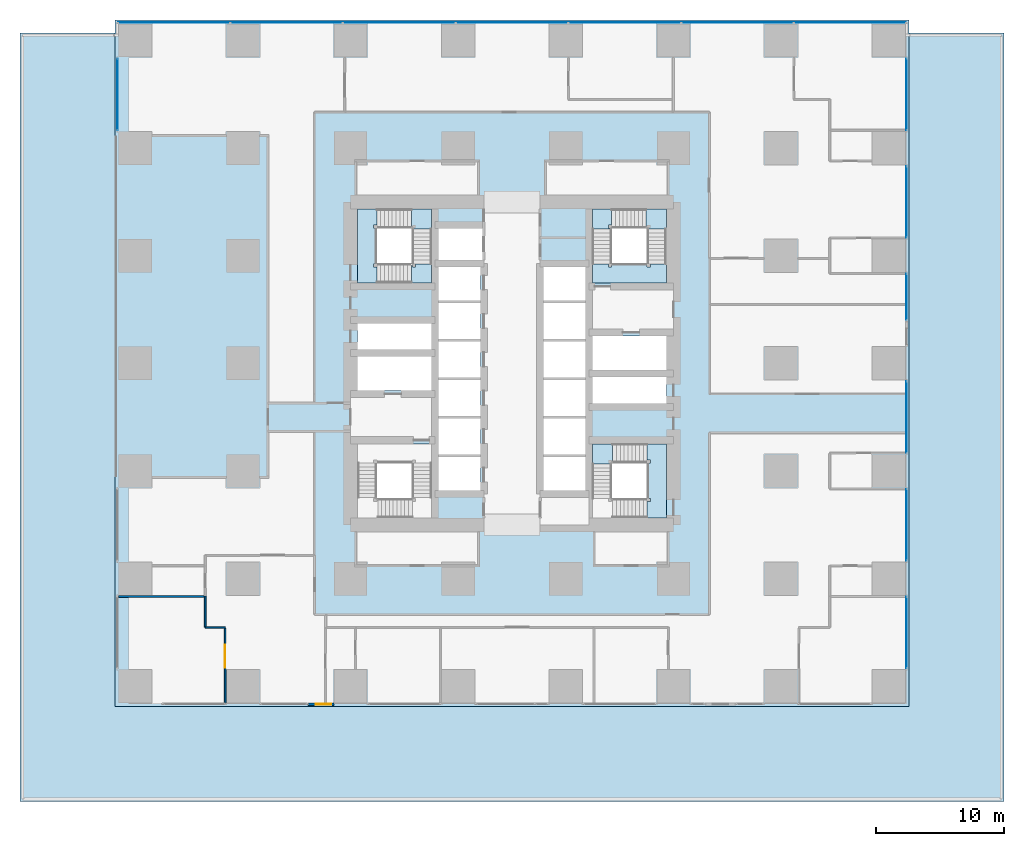
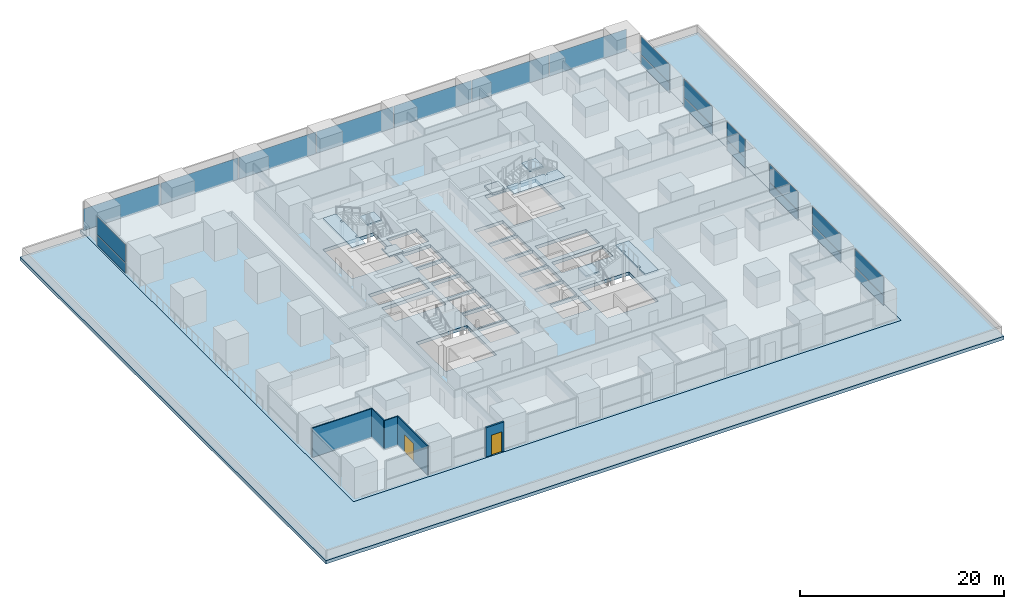
# One storey, part 19 of 35: 21 plates, 10 slabs, 5 walls, 2 doors, 2 openings, 11 elements without a shape of their own.
"""IFC4 building model written with IfcOpenShell, lengths in metres."""

from ifc_helpers import new_model, si_unit, direction, frame, frame_2d, origin, origin_2d, place, context, subcontext, project, spatial, polyline, rectangle, outline, extrude, material, layer, layer_set, type_object, element, fill, aggregate, save


model = new_model("IFC4")

# Units and contexts
model_context = context("Model", 3, precision=1e-05, world=origin(), true_north=direction((0.0, 1.0)))
body_context = subcontext(model_context, "Body", "Model", "MODEL_VIEW")
ifc_project = project(units=[si_unit("LENGTHUNIT", "METRE"), si_unit("AREAUNIT", "SQUARE_METRE"), si_unit("VOLUMEUNIT", "CUBIC_METRE"), si_unit("PLANEANGLEUNIT", "RADIAN"), si_unit("MASSUNIT", "GRAM", prefix="KILO")], contexts=[model_context])

# Site, building, storey
site_placement = place(None, origin())
site = spatial("IfcSite", under=ifc_project, at=site_placement, CompositionType="ELEMENT")
building_placement = place(site_placement, origin())
building = spatial("IfcBuilding", under=site, at=building_placement, Name="Rekha Terrace Tower", CompositionType="ELEMENT")
storey_placement = place(building_placement, frame((0.0, 0.0, 25.39990234375)))
storey = spatial("IfcBuildingStorey", under=building, at=storey_placement, Name="L05", CompositionType="ELEMENT", Elevation=25.39990234375)

# Curtain wall, plates
ifc_material_1 = material(Name="Aluminium framing", Category="aluminium")
curtain_wall_type_1 = type_object("IfcCurtainWallType", Name="CW3 north unitised glazing", PredefinedType="USERDEFINED", material=ifc_material_1)
curtain_wall_1_placement = place(storey_placement, origin())
curtain_wall_1 = element("IfcCurtainWall", 1, at=curtain_wall_1_placement, inside=storey, type_object=curtain_wall_type_1, Name="CW3 unitised curtain wall", ObjectType="UNITISED CURTAIN WALL", PredefinedType="USERDEFINED")
ifc_material_2 = material(Name="Double-glazed unit 28", Category="glass")
ifc_layer_1 = layer(ifc_material_2, 0.028076171875)
ifc_layer_set_1 = layer_set([ifc_layer_1], Name="Double-glazed unit 28")
plate_type_1 = type_object("IfcPlateType", Name="CW3 jumbo vision panel, double-glazed unit 28", PredefinedType="CURTAIN_PANEL", material=ifc_layer_set_1)
plate_1_placement = place(storey_placement, frame((64.1826171875, 60.199951171875, 0.0), z_axis=(0.0, 0.0, 1.0), x_axis=(-1.0, 0.0, 0.0)))
plate_1 = element("IfcPlate", 2, at=plate_1_placement, type_object=plate_type_1, Name="CW3 panel 1.1", PredefinedType="CURTAIN_PANEL", context=body_context, shape_type="SweptSolid", body=[
    extrude(rectangle(XDim=8.695068359375, YDim=0.028076171875, at=origin_2d()), origin(), (0.0, 0.0, 1.0), 2.60009765625),
])
plate_2_placement = place(storey_placement, frame((55.39990234375, 60.199951171875, 0.0), z_axis=(0.0, 0.0, 1.0), x_axis=(-1.0, 0.0, 0.0)))
plate_2 = element("IfcPlate", 3, at=plate_2_placement, type_object=plate_type_1, Name="CW3 panel 2.1", PredefinedType="CURTAIN_PANEL", context=body_context, shape_type="SweptSolid", body=[
    extrude(rectangle(XDim=8.72998046875, YDim=0.028076171875, at=origin_2d()), origin(), (0.0, 0.0, 1.0), 2.60009765625),
])
plate_3_placement = place(storey_placement, frame((46.60009765625, 60.199951171875, 0.0), z_axis=(0.0, 0.0, 1.0), x_axis=(-1.0, 0.0, 0.0)))
plate_3 = element("IfcPlate", 4, at=plate_3_placement, type_object=plate_type_1, Name="CW3 panel 3.1", PredefinedType="CURTAIN_PANEL", context=body_context, shape_type="SweptSolid", body=[
    extrude(rectangle(XDim=8.72998046875, YDim=0.028076171875, at=origin_2d()), origin(), (0.0, 0.0, 1.0), 2.60009765625),
])
plate_4_placement = place(storey_placement, frame((37.800048828125, 60.199951171875, 0.0), z_axis=(0.0, 0.0, 1.0), x_axis=(-1.0, 0.0, 0.0)))
plate_4 = element("IfcPlate", 5, at=plate_4_placement, type_object=plate_type_1, Name="CW3 panel 4.1", PredefinedType="CURTAIN_PANEL", context=body_context, shape_type="SweptSolid", body=[
    extrude(rectangle(XDim=8.72998046875, YDim=0.028076171875, at=origin_2d()), origin(), (0.0, 0.0, 1.0), 2.60009765625),
])
plate_5_placement = place(storey_placement, frame((29.0, 60.199951171875, 0.0), z_axis=(0.0, 0.0, 1.0), x_axis=(-1.0, 0.0, 0.0)))
plate_5 = element("IfcPlate", 6, at=plate_5_placement, type_object=plate_type_1, Name="CW3 panel 5.1", PredefinedType="CURTAIN_PANEL", context=body_context, shape_type="SweptSolid", body=[
    extrude(rectangle(XDim=8.72998046875, YDim=0.028076171875, at=origin_2d()), origin(), (0.0, 0.0, 1.0), 2.60009765625),
])
plate_6_placement = place(storey_placement, frame((20.199951171875, 60.199951171875, 0.0), z_axis=(0.0, 0.0, 1.0), x_axis=(-1.0, 0.0, 0.0)))
plate_6 = element("IfcPlate", 7, at=plate_6_placement, type_object=plate_type_1, Name="CW3 panel 6.1", PredefinedType="CURTAIN_PANEL", context=body_context, shape_type="SweptSolid", body=[
    extrude(rectangle(XDim=8.72998046875, YDim=0.028076171875, at=origin_2d()), origin(), (0.0, 0.0, 1.0), 2.60009765625),
])
plate_7_placement = place(storey_placement, frame((11.41748046875, 60.199951171875, 0.0), z_axis=(0.0, 0.0, 1.0), x_axis=(-1.0, 0.0, 0.0)))
plate_7 = element("IfcPlate", 8, at=plate_7_placement, type_object=plate_type_1, Name="CW3 panel 7.1", PredefinedType="CURTAIN_PANEL", context=body_context, shape_type="SweptSolid", body=[
    extrude(rectangle(XDim=8.695068359375, YDim=0.028076171875, at=origin_2d()), origin(), (0.0, 0.0, 1.0), 2.60009765625),
])
aggregate(curtain_wall_1, [plate_1, plate_2, plate_3, plate_4, plate_5, plate_6, plate_7])

curtain_wall_type_2 = type_object("IfcCurtainWallType", Name="CW5 sky garden glazing", PredefinedType="USERDEFINED", material=ifc_material_1)
curtain_wall_2_placement = place(storey_placement, origin())
curtain_wall_2 = element("IfcCurtainWall", 9, at=curtain_wall_2_placement, inside=storey, type_object=curtain_wall_type_2, Name="CW5 sky garden curtain wall", ObjectType="SKY GARDEN CURTAIN WALL", PredefinedType="USERDEFINED")
ifc_material_3 = material(Name="Laminated double-glazed unit 36", Category="glass")
ifc_layer_2 = layer(ifc_material_3, 0.035888671875)
ifc_layer_set_2 = layer_set([ifc_layer_2], Name="Laminated double-glazed unit 36")
plate_type_2 = type_object("IfcPlateType", Name="CW5 jumbo vision panel, laminated double-glazed unit 36", PredefinedType="CURTAIN_PANEL", material=ifc_layer_set_2)
plate_8_placement = place(storey_placement, frame((68.60009765625, 12.60009765625, 0.0), z_axis=(0.0, 0.0, 1.0), x_axis=(0.0, 1.0, 0.0)))
plate_8 = element("IfcPlate", 10, at=plate_8_placement, type_object=plate_type_2, Name="CW5 panel 1.1", PredefinedType="CURTAIN_PANEL", context=body_context, shape_type="SweptSolid", body=[
    extrude(rectangle(XDim=5.580078125, YDim=0.035888671875, at=origin_2d()), origin(), (0.0, 0.0, 1.0), 1.155029296875),
])
plate_9_placement = place(storey_placement, frame((68.60009765625, 12.60009765625, 1.2451171875), z_axis=(0.0, 0.0, 1.0), x_axis=(0.0, 1.0, 0.0)))
plate_9 = element("IfcPlate", 11, at=plate_9_placement, type_object=plate_type_2, Name="CW5 panel 1.2", PredefinedType="CURTAIN_PANEL", context=body_context, shape_type="SweptSolid", body=[
    extrude(rectangle(XDim=5.580078125, YDim=0.035888671875, at=origin_2d()), origin(), (0.0, 0.0, 1.0), 2.1650390625),
])
aggregate(curtain_wall_2, [plate_8, plate_9])

curtain_wall_3_placement = place(storey_placement, origin())
curtain_wall_3 = element("IfcCurtainWall", 12, at=curtain_wall_3_placement, inside=storey, type_object=curtain_wall_type_2, Name="CW5 sky garden curtain wall", ObjectType="SKY GARDEN CURTAIN WALL", PredefinedType="USERDEFINED")
plate_10_placement = place(storey_placement, frame((68.60009765625, 21.0, 0.0), z_axis=(0.0, 0.0, 1.0), x_axis=(0.0, 1.0, 0.0)))
plate_10 = element("IfcPlate", 13, at=plate_10_placement, type_object=plate_type_2, Name="CW5 panel 1.1", PredefinedType="CURTAIN_PANEL", context=body_context, shape_type="SweptSolid", body=[
    extrude(rectangle(XDim=5.580078125, YDim=0.035888671875, at=origin_2d()), origin(), (0.0, 0.0, 1.0), 1.155029296875),
])
plate_11_placement = place(storey_placement, frame((68.60009765625, 21.0, 1.2451171875), z_axis=(0.0, 0.0, 1.0), x_axis=(0.0, 1.0, 0.0)))
plate_11 = element("IfcPlate", 14, at=plate_11_placement, type_object=plate_type_2, Name="CW5 panel 1.2", PredefinedType="CURTAIN_PANEL", context=body_context, shape_type="SweptSolid", body=[
    extrude(rectangle(XDim=5.580078125, YDim=0.035888671875, at=origin_2d()), origin(), (0.0, 0.0, 1.0), 2.1650390625),
])
aggregate(curtain_wall_3, [plate_10, plate_11])

curtain_wall_4_placement = place(storey_placement, origin())
curtain_wall_4 = element("IfcCurtainWall", 15, at=curtain_wall_4_placement, inside=storey, type_object=curtain_wall_type_2, Name="CW5 sky garden curtain wall", ObjectType="SKY GARDEN CURTAIN WALL", PredefinedType="USERDEFINED")
plate_12_placement = place(storey_placement, frame((68.60009765625, 29.39990234375, 0.0), z_axis=(0.0, 0.0, 1.0), x_axis=(0.0, 1.0, 0.0)))
plate_12 = element("IfcPlate", 16, at=plate_12_placement, type_object=plate_type_2, Name="CW5 panel 1.1", PredefinedType="CURTAIN_PANEL", context=body_context, shape_type="SweptSolid", body=[
    extrude(rectangle(XDim=5.580078125, YDim=0.035888671875, at=origin_2d()), origin(), (0.0, 0.0, 1.0), 1.155029296875),
])
plate_13_placement = place(storey_placement, frame((68.60009765625, 29.39990234375, 1.2451171875), z_axis=(0.0, 0.0, 1.0), x_axis=(0.0, 1.0, 0.0)))
plate_13 = element("IfcPlate", 17, at=plate_13_placement, type_object=plate_type_2, Name="CW5 panel 1.2", PredefinedType="CURTAIN_PANEL", context=body_context, shape_type="SweptSolid", body=[
    extrude(rectangle(XDim=5.580078125, YDim=0.035888671875, at=origin_2d()), origin(), (0.0, 0.0, 1.0), 2.1650390625),
])
aggregate(curtain_wall_4, [plate_12, plate_13])

curtain_wall_5_placement = place(storey_placement, origin())
curtain_wall_5 = element("IfcCurtainWall", 18, at=curtain_wall_5_placement, inside=storey, type_object=curtain_wall_type_2, Name="CW5 sky garden curtain wall", ObjectType="SKY GARDEN CURTAIN WALL", PredefinedType="USERDEFINED")
plate_14_placement = place(storey_placement, frame((68.60009765625, 38.7900390625, 0.0), z_axis=(0.0, 0.0, 1.0), x_axis=(0.0, 1.0, 0.0)))
plate_14 = element("IfcPlate", 19, at=plate_14_placement, type_object=plate_type_2, Name="CW5 panel 1.1", PredefinedType="CURTAIN_PANEL", context=body_context, shape_type="SweptSolid", body=[
    extrude(rectangle(XDim=3.60009765625, YDim=0.035888671875, at=origin_2d()), origin(), (0.0, 0.0, 1.0), 1.155029296875),
])
plate_15_placement = place(storey_placement, frame((68.60009765625, 38.7900390625, 1.2451171875), z_axis=(0.0, 0.0, 1.0), x_axis=(0.0, 1.0, 0.0)))
plate_15 = element("IfcPlate", 20, at=plate_15_placement, type_object=plate_type_2, Name="CW5 panel 1.2", PredefinedType="CURTAIN_PANEL", context=body_context, shape_type="SweptSolid", body=[
    extrude(rectangle(XDim=3.60009765625, YDim=0.035888671875, at=origin_2d()), origin(), (0.0, 0.0, 1.0), 2.1650390625),
])
aggregate(curtain_wall_5, [plate_14, plate_15])

curtain_wall_6_placement = place(storey_placement, origin())
curtain_wall_6 = element("IfcCurtainWall", 21, at=curtain_wall_6_placement, inside=storey, type_object=curtain_wall_type_2, Name="CW5 sky garden curtain wall", ObjectType="SKY GARDEN CURTAIN WALL", PredefinedType="USERDEFINED")
plate_16_placement = place(storey_placement, frame((68.60009765625, 46.199951171875, 0.0), z_axis=(0.0, 0.0, 1.0), x_axis=(0.0, 1.0, 0.0)))
plate_16 = element("IfcPlate", 22, at=plate_16_placement, type_object=plate_type_2, Name="CW5 panel 1.1", PredefinedType="CURTAIN_PANEL", context=body_context, shape_type="SweptSolid", body=[
    extrude(rectangle(XDim=5.580078125, YDim=0.035888671875, at=origin_2d()), origin(), (0.0, 0.0, 1.0), 1.155029296875),
])
plate_17_placement = place(storey_placement, frame((68.60009765625, 46.199951171875, 1.2451171875), z_axis=(0.0, 0.0, 1.0), x_axis=(0.0, 1.0, 0.0)))
plate_17 = element("IfcPlate", 23, at=plate_17_placement, type_object=plate_type_2, Name="CW5 panel 1.2", PredefinedType="CURTAIN_PANEL", context=body_context, shape_type="SweptSolid", body=[
    extrude(rectangle(XDim=5.580078125, YDim=0.035888671875, at=origin_2d()), origin(), (0.0, 0.0, 1.0), 2.1650390625),
])
aggregate(curtain_wall_6, [plate_16, plate_17])

curtain_wall_7_placement = place(storey_placement, origin())
curtain_wall_7 = element("IfcCurtainWall", 24, at=curtain_wall_7_placement, inside=storey, type_object=curtain_wall_type_2, Name="CW5 sky garden curtain wall", ObjectType="SKY GARDEN CURTAIN WALL", PredefinedType="USERDEFINED")
plate_18_placement = place(storey_placement, frame((68.60009765625, 54.60009765625, 0.0), z_axis=(0.0, 0.0, 1.0), x_axis=(0.0, 1.0, 0.0)))
plate_18 = element("IfcPlate", 25, at=plate_18_placement, type_object=plate_type_2, Name="CW5 panel 1.1", PredefinedType="CURTAIN_PANEL", context=body_context, shape_type="SweptSolid", body=[
    extrude(rectangle(XDim=5.580078125, YDim=0.035888671875, at=origin_2d()), origin(), (0.0, 0.0, 1.0), 1.155029296875),
])
plate_19_placement = place(storey_placement, frame((68.60009765625, 54.60009765625, 1.2451171875), z_axis=(0.0, 0.0, 1.0), x_axis=(0.0, 1.0, 0.0)))
plate_19 = element("IfcPlate", 26, at=plate_19_placement, type_object=plate_type_2, Name="CW5 panel 1.2", PredefinedType="CURTAIN_PANEL", context=body_context, shape_type="SweptSolid", body=[
    extrude(rectangle(XDim=5.580078125, YDim=0.035888671875, at=origin_2d()), origin(), (0.0, 0.0, 1.0), 2.1650390625),
])
aggregate(curtain_wall_7, [plate_18, plate_19])

curtain_wall_8_placement = place(storey_placement, origin())
curtain_wall_8 = element("IfcCurtainWall", 27, at=curtain_wall_8_placement, inside=storey, type_object=curtain_wall_type_2, Name="CW5 sky garden curtain wall", ObjectType="SKY GARDEN CURTAIN WALL", PredefinedType="USERDEFINED")
plate_20_placement = place(storey_placement, frame((7.0, 54.60009765625, 0.0), z_axis=(0.0, 0.0, 1.0), x_axis=(0.0, -1.0, 0.0)))
plate_20 = element("IfcPlate", 28, at=plate_20_placement, type_object=plate_type_2, Name="CW5 panel 1.1", PredefinedType="CURTAIN_PANEL", context=body_context, shape_type="SweptSolid", body=[
    extrude(rectangle(XDim=5.580078125, YDim=0.035888671875, at=origin_2d()), origin(), (0.0, 0.0, 1.0), 1.155029296875),
])
plate_21_placement = place(storey_placement, frame((7.0, 54.60009765625, 1.2451171875), z_axis=(0.0, 0.0, 1.0), x_axis=(0.0, -1.0, 0.0)))
plate_21 = element("IfcPlate", 29, at=plate_21_placement, type_object=plate_type_2, Name="CW5 panel 1.2", PredefinedType="CURTAIN_PANEL", context=body_context, shape_type="SweptSolid", body=[
    extrude(rectangle(XDim=5.580078125, YDim=0.035888671875, at=origin_2d()), origin(), (0.0, 0.0, 1.0), 2.1650390625),
])
aggregate(curtain_wall_8, [plate_20, plate_21])

# Stair, slabs
ifc_material_4 = material(Name="Concrete M40", Category="concrete")
stair_type = type_object("IfcStairType", Name="ST30 stair, 30 risers of 125, going 300, 1500 wide flights, 3 flights", PredefinedType="HALF_TURN_STAIR", material=ifc_material_4)
stair_1_placement = place(storey_placement, origin())
stair_1 = element("IfcStair", 30, at=stair_1_placement, inside=storey, type_object=stair_type, Name="Stair ST2 L05 to L06", PredefinedType="HALF_TURN_STAIR")
ifc_layer_3 = layer(ifc_material_4, 0.199951171875)
ifc_layer_set_3 = layer_set([ifc_layer_3], Name="Concrete M40")
slab_type_1 = type_object("IfcSlabType", Name="LD1 200 concrete stair landing", PredefinedType="LANDING", material=ifc_layer_set_3)
slab_1_placement = place(storey_placement, frame((0.0, 0.0, 1.050048828125)))
slab_1 = element("IfcSlab", 31, at=slab_1_placement, type_object=slab_type_1, Name="ST2 landing 1", PredefinedType="LANDING", context=body_context, shape_type="SweptSolid", body=[
    extrude(outline(polyline([(45.574951171875, 45.64990234375), (44.074951171875, 45.64990234375), (44.074951171875, 44.074951171875), (45.574951171875, 44.074951171875), (45.574951171875, 44.14990234375), (45.324951171875, 44.14990234375), (45.324951171875, 44.39990234375), (45.574951171875, 44.39990234375), (45.574951171875, 45.64990234375)])), origin(), (0.0, 0.0, 1.0), 0.199951171875),
])
slab_2_placement = place(storey_placement, frame((0.0, 0.0, 2.300048828125)))
slab_2 = element("IfcSlab", 32, at=slab_2_placement, type_object=slab_type_1, Name="ST2 landing 2", PredefinedType="LANDING", context=body_context, shape_type="SweptSolid", body=[
    extrude(outline(polyline([(48.35009765625, 44.074951171875), (49.85009765625, 44.074951171875), (49.85009765625, 45.64990234375), (48.27490234375, 45.64990234375), (48.27490234375, 44.14990234375), (48.35009765625, 44.14990234375), (48.35009765625, 44.074951171875)])), origin(), (0.0, 0.0, 1.0), 0.199951171875),
])
slab_3_placement = place(storey_placement, frame((0.0, 0.0, 3.550048828125)))
slab_3 = element("IfcSlab", 33, at=slab_3_placement, type_object=slab_type_1, Name="ST2 landing 3", PredefinedType="LANDING", context=body_context, shape_type="SweptSolid", body=[
    extrude(outline(polyline([(44.074951171875, 41.375), (44.074951171875, 39.875), (49.85009765625, 39.875), (49.85009765625, 41.375), (48.60009765625, 41.375), (48.60009765625, 41.125), (48.35009765625, 41.125), (48.35009765625, 41.375), (45.574951171875, 41.375), (45.574951171875, 41.125), (45.324951171875, 41.125), (45.324951171875, 41.375), (44.074951171875, 41.375)])), origin(), (0.0, 0.0, 1.0), 0.199951171875),
])
aggregate(stair_1, [slab_1, slab_2, slab_3])

stair_2_placement = place(storey_placement, origin())
stair_2 = element("IfcStair", 34, at=stair_2_placement, inside=storey, type_object=stair_type, Name="Stair ST3 L05 to L06", PredefinedType="HALF_TURN_STAIR")
slab_4_placement = place(storey_placement, frame((0.0, 0.0, 2.300048828125)))
slab_4 = element("IfcSlab", 35, at=slab_4_placement, type_object=slab_type_1, Name="ST3 landing 2", PredefinedType="LANDING", context=body_context, shape_type="SweptSolid", body=[
    extrude(outline(polyline([(45.64990234375, 25.824951171875), (45.64990234375, 27.324951171875), (44.074951171875, 27.324951171875), (44.074951171875, 25.75), (45.574951171875, 25.75), (45.574951171875, 25.824951171875), (45.64990234375, 25.824951171875)])), origin(), (0.0, 0.0, 1.0), 0.199951171875),
])
slab_5_placement = place(storey_placement, frame((0.0, 0.0, 3.550048828125)))
slab_5 = element("IfcSlab", 36, at=slab_5_placement, type_object=slab_type_1, Name="ST3 landing 3", PredefinedType="LANDING", context=body_context, shape_type="SweptSolid", body=[
    extrude(outline(polyline([(48.35009765625, 21.550048828125), (49.85009765625, 21.550048828125), (49.85009765625, 27.324951171875), (48.35009765625, 27.324951171875), (48.35009765625, 26.074951171875), (48.60009765625, 26.074951171875), (48.60009765625, 25.824951171875), (48.35009765625, 25.824951171875), (48.35009765625, 23.050048828125), (48.60009765625, 23.050048828125), (48.60009765625, 22.800048828125), (48.35009765625, 22.800048828125), (48.35009765625, 21.550048828125)])), origin(), (0.0, 0.0, 1.0), 0.199951171875),
])
aggregate(stair_2, [slab_4, slab_5])

stair_3_placement = place(storey_placement, origin())
stair_3 = element("IfcStair", 37, at=stair_3_placement, inside=storey, type_object=stair_type, Name="Stair ST4 L05 to L06", PredefinedType="HALF_TURN_STAIR")
slab_6_placement = place(storey_placement, frame((0.0, 0.0, 1.050048828125)))
slab_6 = element("IfcSlab", 38, at=slab_6_placement, type_object=slab_type_1, Name="ST4 landing 1", PredefinedType="LANDING", context=body_context, shape_type="SweptSolid", body=[
    extrude(outline(polyline([(31.52490234375, 41.375), (31.52490234375, 39.875), (29.949951171875, 39.875), (29.949951171875, 41.375), (30.02490234375, 41.375), (30.02490234375, 41.125), (30.27490234375, 41.125), (30.27490234375, 41.375), (31.52490234375, 41.375)])), origin(), (0.0, 0.0, 1.0), 0.199951171875),
])
slab_7_placement = place(storey_placement, frame((0.0, 0.0, 2.300048828125)))
slab_7 = element("IfcSlab", 39, at=slab_7_placement, type_object=slab_type_1, Name="ST4 landing 2", PredefinedType="LANDING", context=body_context, shape_type="SweptSolid", body=[
    extrude(outline(polyline([(29.949951171875, 44.14990234375), (29.949951171875, 45.64990234375), (31.52490234375, 45.64990234375), (31.52490234375, 44.074951171875), (30.02490234375, 44.074951171875), (30.02490234375, 44.14990234375), (29.949951171875, 44.14990234375)])), origin(), (0.0, 0.0, 1.0), 0.199951171875),
])
slab_8_placement = place(storey_placement, frame((0.0, 0.0, 3.550048828125)))
slab_8 = element("IfcSlab", 40, at=slab_8_placement, type_object=slab_type_1, Name="ST4 landing 3", PredefinedType="LANDING", context=body_context, shape_type="SweptSolid", body=[
    extrude(outline(polyline([(27.25, 39.875), (25.75, 39.875), (25.75, 45.64990234375), (27.25, 45.64990234375), (27.25, 44.39990234375), (27.0, 44.39990234375), (27.0, 44.14990234375), (27.25, 44.14990234375), (27.25, 41.375), (27.0, 41.375), (27.0, 41.125), (27.25, 41.125), (27.25, 39.875)])), origin(), (0.0, 0.0, 1.0), 0.199951171875),
])
aggregate(stair_3, [slab_6, slab_7, slab_8])

# Slabs
ifc_material_5 = material(Name="Concrete M50", Category="concrete")
ifc_layer_4 = layer(ifc_material_5, 0.39990234375)
ifc_layer_set_4 = layer_set([ifc_layer_4], Name="Concrete M50")
slab_type_2 = type_object("IfcSlabType", Name="SL3 400 podium transfer floor slab", PredefinedType="FLOOR", material=ifc_layer_set_4)
slab_9_placement = place(storey_placement, frame((0.0, 0.0, -0.39990234375)))
element("IfcSlab", 41, at=slab_9_placement, inside=storey, type_object=slab_type_2, Name="Podium transfer floor slab L05", PredefinedType="FLOOR", context=body_context, shape_type="SweptSolid", body=[
    extrude(outline(polyline([(6.800048828125, 60.39990234375), (6.800048828125, 6.800048828125), (68.800048828125, 6.800048828125), (68.800048828125, 60.39990234375), (6.800048828125, 60.39990234375)]), holes=[polyline([(31.52490234375, 27.324951171875), (31.52490234375, 21.550048828125), (25.75, 21.550048828125), (25.75, 27.324951171875), (31.52490234375, 27.324951171875)]), polyline([(35.324951171875, 26.300048828125), (35.324951171875, 23.675048828125), (32.074951171875, 23.675048828125), (32.074951171875, 26.300048828125), (35.324951171875, 26.300048828125)]), polyline([(35.324951171875, 29.300048828125), (35.324951171875, 26.5), (32.074951171875, 26.5), (32.074951171875, 29.300048828125), (35.324951171875, 29.300048828125)]), polyline([(35.324951171875, 29.5), (32.074951171875, 29.5), (32.074951171875, 32.300048828125), (35.324951171875, 32.300048828125), (35.324951171875, 29.5)]), polyline([(31.52490234375, 31.47509765625), (25.75, 31.47509765625), (25.75, 34.125), (31.52490234375, 34.125), (31.52490234375, 31.47509765625)]), polyline([(35.324951171875, 35.300048828125), (35.324951171875, 32.5), (32.074951171875, 32.5), (32.074951171875, 35.300048828125), (35.324951171875, 35.300048828125)]), polyline([(31.52490234375, 36.72509765625), (31.52490234375, 34.675048828125), (25.75, 34.675048828125), (25.75, 36.72509765625), (31.52490234375, 36.72509765625)]), polyline([(35.324951171875, 38.300048828125), (35.324951171875, 35.5), (32.074951171875, 35.5), (32.074951171875, 38.300048828125), (35.324951171875, 38.300048828125)]), polyline([(35.324951171875, 38.5), (32.074951171875, 38.5), (32.074951171875, 41.125), (35.324951171875, 41.125), (35.324951171875, 38.5)]), polyline([(31.52490234375, 39.875), (25.75, 39.875), (25.75, 45.64990234375), (31.52490234375, 45.64990234375), (31.52490234375, 39.875)]), polyline([(35.5, 44.125), (35.5, 41.675048828125), (32.074951171875, 41.675048828125), (32.074951171875, 44.125), (35.5, 44.125)]), polyline([(49.85009765625, 27.324951171875), (49.85009765625, 21.550048828125), (44.074951171875, 21.550048828125), (44.074951171875, 27.324951171875), (49.85009765625, 27.324951171875)]), polyline([(43.52490234375, 26.300048828125), (43.52490234375, 23.675048828125), (40.27490234375, 23.675048828125), (40.27490234375, 26.300048828125), (43.52490234375, 26.300048828125)]), polyline([(43.52490234375, 26.5), (40.27490234375, 26.5), (40.27490234375, 29.300048828125), (43.52490234375, 29.300048828125), (43.52490234375, 26.5)]), polyline([(43.52490234375, 29.5), (40.27490234375, 29.5), (40.27490234375, 32.300048828125), (43.52490234375, 32.300048828125), (43.52490234375, 29.5)]), polyline([(49.85009765625, 32.52490234375), (49.85009765625, 30.47509765625), (44.074951171875, 30.47509765625), (44.074951171875, 32.52490234375), (49.85009765625, 32.52490234375)]), polyline([(43.52490234375, 32.5), (40.27490234375, 32.5), (40.27490234375, 35.300048828125), (43.52490234375, 35.300048828125), (43.52490234375, 32.5)]), polyline([(49.85009765625, 33.074951171875), (44.074951171875, 33.074951171875), (44.074951171875, 35.72509765625), (49.85009765625, 35.72509765625), (49.85009765625, 33.074951171875)]), polyline([(43.52490234375, 38.300048828125), (43.52490234375, 35.5), (40.27490234375, 35.5), (40.27490234375, 38.300048828125), (43.52490234375, 38.300048828125)]), polyline([(43.52490234375, 38.5), (40.27490234375, 38.5), (40.27490234375, 41.125), (43.52490234375, 41.125), (43.52490234375, 38.5)]), polyline([(49.85009765625, 39.875), (44.074951171875, 39.875), (44.074951171875, 45.64990234375), (49.85009765625, 45.64990234375), (49.85009765625, 39.875)])]), origin(), (0.0, 0.0, 1.0), 0.39990234375),
])
ifc_layer_5 = layer(ifc_material_5, 0.39990234375)
ifc_layer_set_5 = layer_set([ifc_layer_5], Name="Concrete M50")
slab_type_3 = type_object("IfcSlabType", Name="TS1 400 planted terrace slab", PredefinedType="FLOOR", material=ifc_layer_set_5)
slab_10_placement = place(storey_placement, frame((0.0, 0.0, -0.39990234375)))
element("IfcSlab", 42, at=slab_10_placement, inside=storey, type_object=slab_type_3, Name="Planted terrace L05", PredefinedType="FLOOR", context=body_context, shape_type="SweptSolid", body=[
    extrude(outline(polyline([(6.800048828125, 59.39990234375), (-0.60009765625, 59.39990234375), (-0.60009765625, -0.60009765625), (76.199951171875, -0.60009765625), (76.199951171875, 59.39990234375), (68.800048828125, 59.39990234375), (68.800048828125, 6.800048828125), (6.800048828125, 6.800048828125), (6.800048828125, 59.39990234375)])), origin(), (0.0, 0.0, 1.0), 0.39990234375),
])

# Wall, opening, door
ifc_material_6 = material(Name="Aluminium-faced insulated screen wall", Category="aluminium")
ifc_layer_6 = layer(ifc_material_6, 0.199951171875)
ifc_layer_set_6 = layer_set([ifc_layer_6], Name="Aluminium-faced insulated screen wall")
wall_type_1 = type_object("IfcWallType", Name="EW3 terrace door screen wall 200", PredefinedType="SOLIDWALL", material=ifc_layer_set_6)
wall_1_placement = place(storey_placement, frame((21.875, 7.0, 0.0), z_axis=(0.0, 0.0, 1.0), x_axis=(1.0, 0.0, 0.0)))
wall_1 = element("IfcWall", 43, at=wall_1_placement, inside=storey, type_object=wall_type_1, Name="Terrace door screen wall", PredefinedType="SOLIDWALL", context=body_context, shape_type="SweptSolid", body=[
    extrude(rectangle(XDim=2.02392578125, YDim=0.199951171875, at=frame_2d((1.011962890625, 0.0))), origin(), (0.0, 0.0, 1.0), 3.5),
])
opening_1_placement = place(wall_1_placement, frame((0.60009765625, 0.0, 0.0)))
opening_1 = element("IfcOpeningElement", 44, at=opening_1_placement, cuts=wall_1, Name="Opening ED4", PredefinedType="OPENING", context=body_context, shape_type="SweptSolid", body=[
    extrude(rectangle(XDim=1.199951171875, YDim=2.39990234375, at=frame_2d((0.60009765625, 1.199951171875))), frame((0.0, 0.10986328125, 0.0), z_axis=(0.0, -1.0, 0.0), x_axis=(1.0, 0.0, 0.0)), (0.0, 0.0, 1.0), 0.219970703125),
])
ifc_material_7 = material(Name="Aluminium framed laminated glass door", Category="aluminium")
door_type_1 = type_object("IfcDoorType", Name="ED4 glazed terrace door 1200 x 2400", OperationType="SINGLE_SWING_LEFT", PredefinedType="DOOR", material=ifc_material_7)
door_1_placement = place(opening_1_placement, origin())
door_1 = element("IfcDoor", 45, at=door_1_placement, inside=storey, type_object=door_type_1, Name="Terrace door", OperationType="SINGLE_SWING_LEFT", OverallHeight=2.39990234375, OverallWidth=1.199951171875, PredefinedType="DOOR", context=body_context, shape_type="SweptSolid", body=[
    extrude(rectangle(XDim=1.199951171875, YDim=2.39990234375, at=frame_2d((0.60009765625, 1.199951171875))), frame((0.0, 0.02490234375, 0.0), z_axis=(0.0, -1.0, 0.0), x_axis=(1.0, 0.0, 0.0)), (0.0, 0.0, 1.0), 0.050048828125),
])
fill(opening_1, door_1)

# Wall
ifc_material_8 = material(Name="Two layers of fire-rated gypsum board each side on steel studs, acoustic quilt, 1 hour", Category="steel")
ifc_layer_7 = layer(ifc_material_8, 0.125)
ifc_layer_set_7 = layer_set([ifc_layer_7], Name="Two layers of fire-rated gypsum board each side on steel studs, acoustic quilt, 1 hour")
wall_type_2 = type_object("IfcWallType", Name="WP3 125 office partition", PredefinedType="PARTITIONING", material=ifc_layer_set_7)
wall_2_placement = place(storey_placement, frame((13.797119140625, 15.407958984375, 0.0), z_axis=(0.0, 0.0, 1.0), x_axis=(-1.0, 0.0, 0.0)))
element("IfcWall", 46, at=wall_2_placement, inside=storey, type_object=wall_type_2, Name="Partition L05-17", PredefinedType="PARTITIONING", context=body_context, shape_type="SweptSolid", body=[
    extrude(rectangle(XDim=6.691162109375, YDim=0.125, at=frame_2d((3.345703125, 0.0))), origin(), (0.0, 0.0, 1.0), 3.5),
])

# Wall, opening, door
wall_3_placement = place(storey_placement, frame((15.407958984375, 12.93798828125, 0.0), z_axis=(0.0, 0.0, 1.0), x_axis=(0.0, -1.0, 0.0)))
wall_3 = element("IfcWall", 47, at=wall_3_placement, inside=storey, type_object=wall_type_2, Name="Partition L05-18", PredefinedType="PARTITIONING", context=body_context, shape_type="SweptSolid", body=[
    extrude(rectangle(XDim=5.85791015625, YDim=0.125, at=frame_2d((2.928955078125, 0.0))), origin(), (0.0, 0.0, 1.0), 3.5),
])
opening_2_placement = place(wall_3_placement, frame((1.297119140625, 0.0, 0.0)))
opening_2 = element("IfcOpeningElement", 48, at=opening_2_placement, cuts=wall_3, Name="Opening D8", PredefinedType="OPENING", context=body_context, shape_type="SweptSolid", body=[
    extrude(rectangle(XDim=1.800048828125, YDim=2.10009765625, at=frame_2d((0.89990234375, 1.050048828125))), frame((0.0, 0.072509765625, 0.0), z_axis=(0.0, -1.0, 0.0), x_axis=(1.0, 0.0, 0.0)), (0.0, 0.0, 1.0), 0.14501953125),
])
ifc_material_9 = material(Name="Timber fire door", Category="wood")
door_type_2 = type_object("IfcDoorType", Name="D8 1800x2100 double leaf door", OperationType="DOUBLE_DOOR_SINGLE_SWING", PredefinedType="DOOR", material=ifc_material_9)
door_2_placement = place(opening_2_placement, origin())
door_2 = element("IfcDoor", 49, at=door_2_placement, inside=storey, type_object=door_type_2, Name="Door business lounge L05", OperationType="DOUBLE_DOOR_SINGLE_SWING", OverallHeight=2.10009765625, OverallWidth=1.800048828125, PredefinedType="DOOR", context=body_context, shape_type="SweptSolid", body=[
    extrude(rectangle(XDim=1.800048828125, YDim=2.10009765625, at=frame_2d((0.89990234375, 1.050048828125))), frame((0.0, 0.02490234375, 0.0), z_axis=(0.0, -1.0, 0.0), x_axis=(1.0, 0.0, 0.0)), (0.0, 0.0, 1.0), 0.050048828125),
])
fill(opening_2, door_2)

# Walls
wall_4_placement = place(storey_placement, frame((13.860107421875, 15.447021484375, 0.0), z_axis=(0.0, 0.0, 1.0), x_axis=(0.0, -1.0, 0.0)))
element("IfcWall", 50, at=wall_4_placement, inside=storey, type_object=wall_type_2, Name="Partition L05-18", PredefinedType="PARTITIONING", context=body_context, shape_type="SweptSolid", body=[
    extrude(rectangle(XDim=2.447021484375, YDim=0.125, at=frame_2d((1.2236328125, 0.0))), origin(), (0.0, 0.0, 1.0), 3.5),
])
wall_5_placement = place(storey_placement, frame((13.860107421875, 13.0, 0.0), z_axis=(0.0, 0.0, 1.0), x_axis=(1.0, 0.0, 0.0)))
element("IfcWall", 51, at=wall_5_placement, inside=storey, type_object=wall_type_2, Name="Partition L05-18", PredefinedType="PARTITIONING", context=body_context, shape_type="SweptSolid", body=[
    extrude(rectangle(XDim=1.574951171875, YDim=0.125, at=frame_2d((0.78759765625, 0.0))), origin(), (0.0, 0.0, 1.0), 3.5),
])

save(model, "model.ifc")
